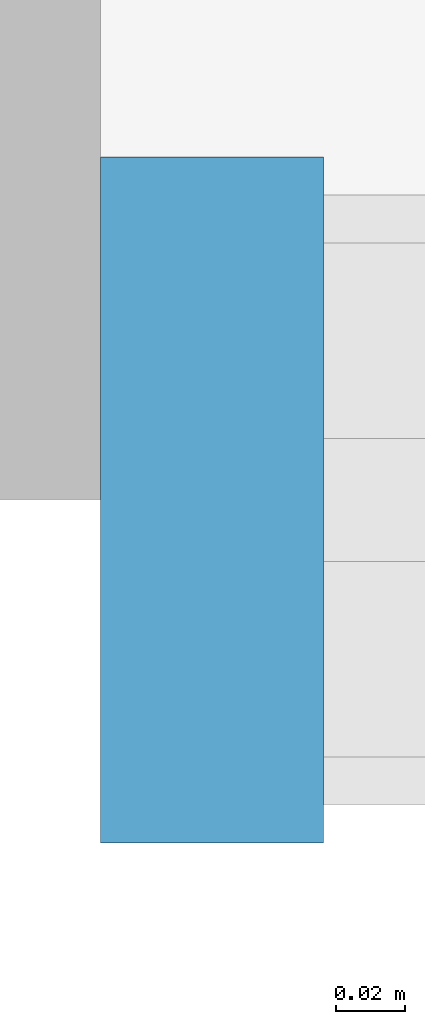
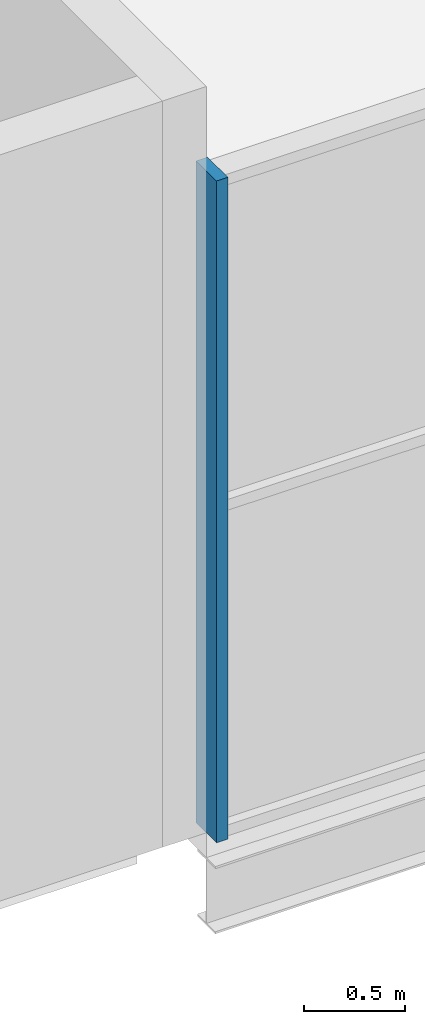
# One storey, part 47 of 97: 1 member, 1 element without a shape of its own.
"""IFC4 building model written with IfcOpenShell, lengths in metres."""

from ifc_helpers import new_model, si_unit, direction, frame, origin, origin_2d, place, context, subcontext, project, spatial, rectangle, extrude, material, layer, layer_set, material_profile, profile_set, type_object, element, aggregate, save


model = new_model("IFC4")

# Units and contexts
model_context = context("Model", 3, precision=1e-05, world=origin(), true_north=direction((0.0, 1.0)))
body_context = subcontext(model_context, "Body", "Model", "MODEL_VIEW")
ifc_project = project(units=[si_unit("LENGTHUNIT", "METRE"), si_unit("AREAUNIT", "SQUARE_METRE"), si_unit("VOLUMEUNIT", "CUBIC_METRE"), si_unit("PLANEANGLEUNIT", "RADIAN"), si_unit("MASSUNIT", "GRAM", prefix="KILO")], contexts=[model_context])

# Site, building, storey
site_placement = place(None, origin())
site = spatial("IfcSite", under=ifc_project, at=site_placement, CompositionType="ELEMENT")
building_placement = place(site_placement, origin())
building = spatial("IfcBuilding", under=site, at=building_placement, Name="Corbel Yard City Hall", CompositionType="ELEMENT")
storey_placement = place(building_placement, frame((0.0, 0.0, 6.0)))
storey = spatial("IfcBuildingStorey", under=building, at=storey_placement, Name="L01", CompositionType="ELEMENT", Elevation=6.0)

# Curtain wall, member
ifc_material = material(Name="Aluminium extrusion", Category="aluminium")
ifc_layer = layer(ifc_material, 0.199951171875)
ifc_layer_set = layer_set([ifc_layer], Name="Aluminium extrusion")
curtain_wall_type = type_object("IfcCurtainWallType", Name="CW1", PredefinedType="USERDEFINED", material=ifc_layer_set)
curtain_wall_placement = place(storey_placement, origin())
curtain_wall = element("IfcCurtainWall", 1, at=curtain_wall_placement, inside=storey, type_object=curtain_wall_type, Name="Curtain wall CW1 L01", ObjectType="CURTAIN WALL", PredefinedType="USERDEFINED")
ifc_material_profile = material_profile(ifc_material, rectangle(XDim=0.199951171875, YDim=0.06494140625, at=origin_2d()), Name="200x65")
ifc_profile_set = profile_set([ifc_material_profile], Name="Aluminium extrusion")
member_type = type_object("IfcMemberType", Name="ML1", PredefinedType="MULLION", material=ifc_profile_set)
member_placement = place(storey_placement, frame((126.032470703125, 90.0, 0.0), z_axis=(0.0, 0.0, 1.0), x_axis=(0.0, 1.0, 0.0)))
member = element("IfcMember", 2, at=member_placement, type_object=member_type, Name="CW1 mullion 1", PredefinedType="MULLION", context=body_context, shape_type="SweptSolid", body=[
    extrude(rectangle(XDim=0.199951171875, YDim=0.06494140625, at=origin_2d()), origin(), (0.0, 0.0, 1.0), 3.990966796875),
])
aggregate(curtain_wall, [member])

save(model, "model.ifc")
